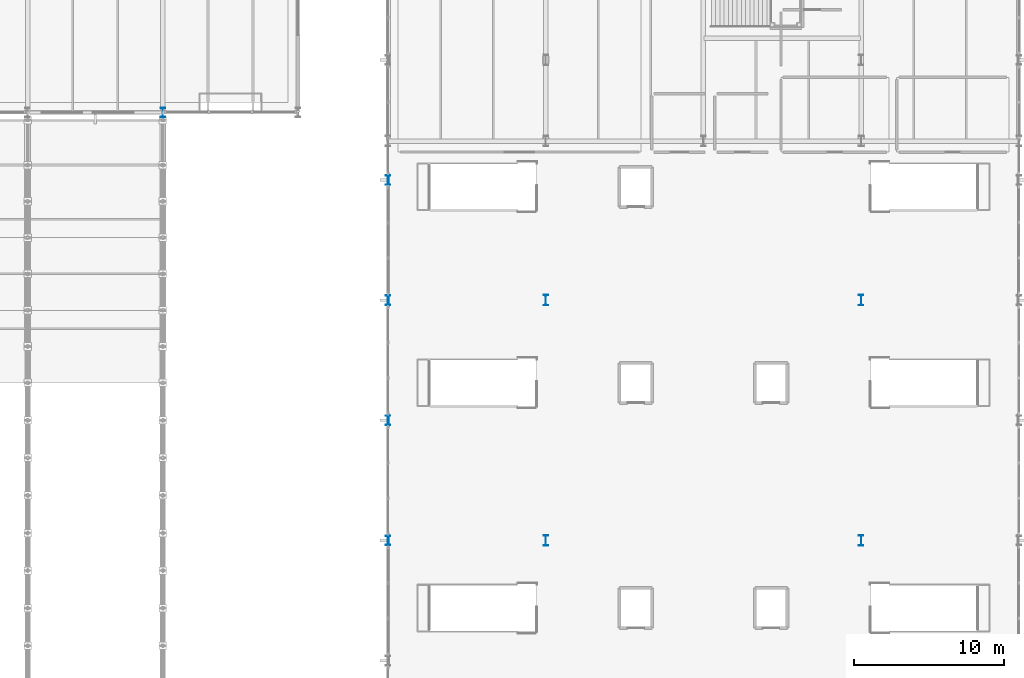
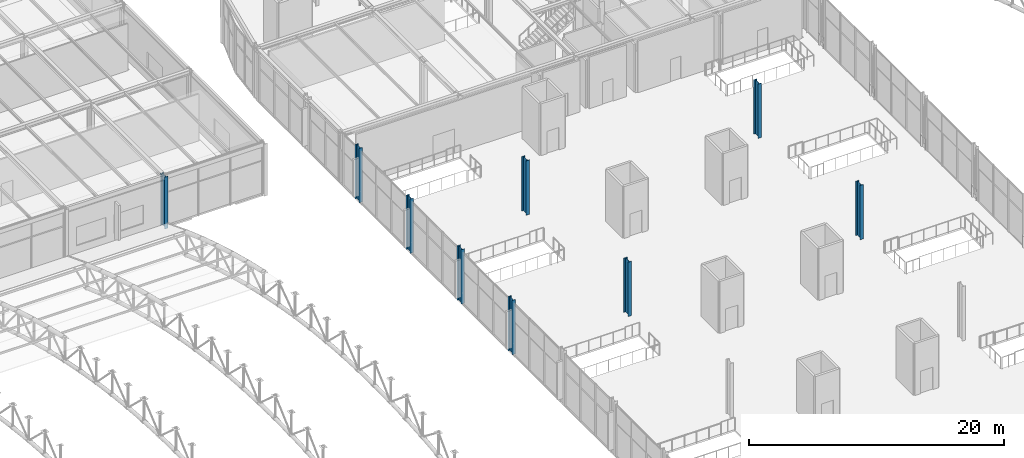
# One storey, part 5 of 195: 9 columns.
"""IFC4 building model written with IfcOpenShell, lengths in metres."""

from ifc_helpers import new_model, si_unit, direction, frame, origin, origin_2d, place, context, subcontext, project, spatial, i_section, extrude, material, material_profile, profile_set, type_object, element, save


model = new_model("IFC4")

# Units and contexts
model_context = context("Model", 3, precision=1e-05, world=origin(), true_north=direction((0.0, 1.0)))
body_context = subcontext(model_context, "Body", "Model", "MODEL_VIEW")
ifc_project = project(units=[si_unit("LENGTHUNIT", "METRE"), si_unit("AREAUNIT", "SQUARE_METRE"), si_unit("VOLUMEUNIT", "CUBIC_METRE"), si_unit("PLANEANGLEUNIT", "RADIAN"), si_unit("MASSUNIT", "GRAM", prefix="KILO")], contexts=[model_context])

# Site, building, storey
site_placement = place(None, origin())
site = spatial("IfcSite", under=ifc_project, at=site_placement, CompositionType="ELEMENT")
building_placement = place(site_placement, origin())
building = spatial("IfcBuilding", under=site, at=building_placement, Name="Marlcrest Central Station", CompositionType="ELEMENT")
storey_placement = place(building_placement, frame((0.0, 0.0, 9.800048828125)))
storey = spatial("IfcBuildingStorey", under=building, at=storey_placement, Name="L02", CompositionType="ELEMENT", Elevation=9.800048828125)

# Columns
ifc_material = material(Name="Steel S355", Category="steel")
ifc_material_profile_1 = material_profile(ifc_material, i_section(OverallWidth=0.300048828125, OverallDepth=0.64990234375, WebThickness=0.01611328125, FlangeThickness=0.031005859375, FilletRadius=0.027099609375, at=origin_2d()), Name="HEB 650")
ifc_profile_set_1 = profile_set([ifc_material_profile_1], Name="Steel S355")
column_type_1 = type_object("IfcColumnType", Name="SC-06", PredefinedType="COLUMN", material=ifc_profile_set_1)
column_placement = place(storey_placement, frame((72.0, 99.0, 0.0), z_axis=(0.0, 0.0, 1.0), x_axis=(1.0, 0.0, 0.0)))
element("IfcColumn", 1, at=column_placement, inside=storey, type_object=column_type_1, Name="col-SC-06-L02-0149", PredefinedType="COLUMN", context=body_context, shape_type="SweptSolid", body=[
    extrude(i_section(OverallWidth=0.300048828125, OverallDepth=0.64990234375, WebThickness=0.01611328125, FlangeThickness=0.031005859375, FilletRadius=0.027099609375, at=origin_2d()), origin(), (0.0, 0.0, 1.0), 4.974853515625),
])
for number, where, z_axis, x_axis, name in (
    (2, (87.0, 70.5, 0.0), (0.0, 0.0, 1.0), (1.0, 0.0, 0.0), "col-SC-06-L02-0727"),
    (3, (87.0, 78.5, 0.0), (0.0, 0.0, 1.0), (1.0, 0.0, 0.0), "col-SC-06-L02-0735"),
    (4, (87.0, 86.5, 0.0), (0.0, 0.0, 1.0), (1.0, 0.0, 0.0), "col-SC-06-L02-0739"),
    (5, (87.0, 94.5, 0.0), (0.0, 0.0, 1.0), (1.0, 0.0, 0.0), "col-SC-06-L02-0747"),
):
    element("IfcColumn", number, at=place(storey_placement, frame(where, z_axis=z_axis, x_axis=x_axis)), inside=storey, type_object=column_type_1, Name=name, PredefinedType="COLUMN", context=body_context, shape_type="SweptSolid", body=[
        extrude(i_section(OverallWidth=0.300048828125, OverallDepth=0.64990234375, WebThickness=0.01611328125, FlangeThickness=0.031005859375, FilletRadius=0.027099609375, at=origin_2d()), origin(), (0.0, 0.0, 1.0), 5.199951171875),
    ])
ifc_material_profile_2 = material_profile(ifc_material, i_section(OverallWidth=0.300048828125, OverallDepth=0.699951171875, WebThickness=0.01708984375, FlangeThickness=0.031982421875, FilletRadius=0.027099609375, at=origin_2d()), Name="HEB 700")
ifc_profile_set_2 = profile_set([ifc_material_profile_2], Name="Steel S355")
column_type_2 = type_object("IfcColumnType", Name="SC-07", PredefinedType="COLUMN", material=ifc_profile_set_2)
for number, where, z_axis, x_axis, name in (
    (6, (97.5, 70.5, 0.0), (0.0, 0.0, 1.0), (1.0, 0.0, 0.0), "col-SC-07-L02-0729"),
    (7, (118.5, 70.5, 0.0), (0.0, 0.0, 1.0), (1.0, 0.0, 0.0), "col-SC-07-L02-0731"),
    (8, (97.5, 86.5, 0.0), (0.0, 0.0, 1.0), (1.0, 0.0, 0.0), "col-SC-07-L02-0741"),
    (9, (118.5, 86.5, 0.0), (0.0, 0.0, 1.0), (1.0, 0.0, 0.0), "col-SC-07-L02-0743"),
):
    element("IfcColumn", number, at=place(storey_placement, frame(where, z_axis=z_axis, x_axis=x_axis)), inside=storey, type_object=column_type_2, Name=name, PredefinedType="COLUMN", context=body_context, shape_type="SweptSolid", body=[
        extrude(i_section(OverallWidth=0.300048828125, OverallDepth=0.699951171875, WebThickness=0.01708984375, FlangeThickness=0.031982421875, FilletRadius=0.027099609375, at=origin_2d()), origin(), (0.0, 0.0, 1.0), 5.199951171875),
    ])

save(model, "model.ifc")
